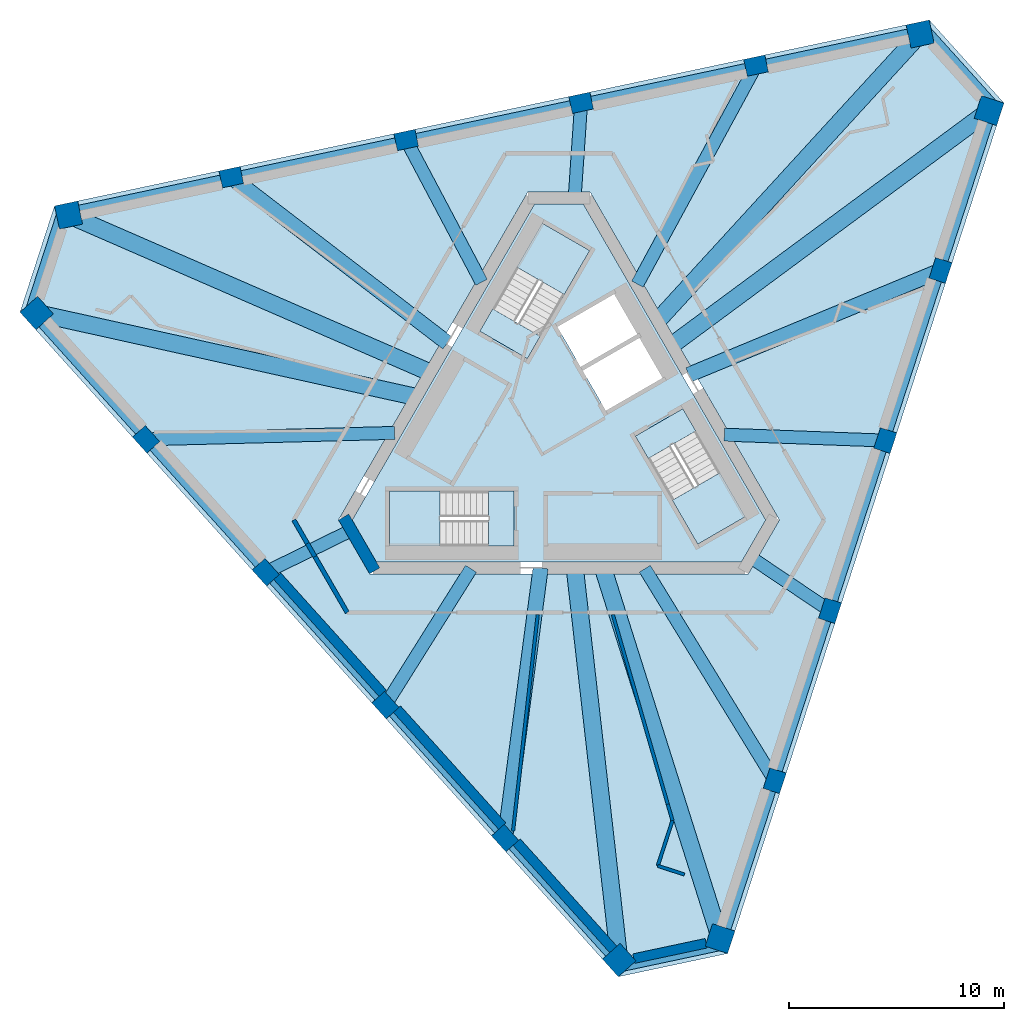
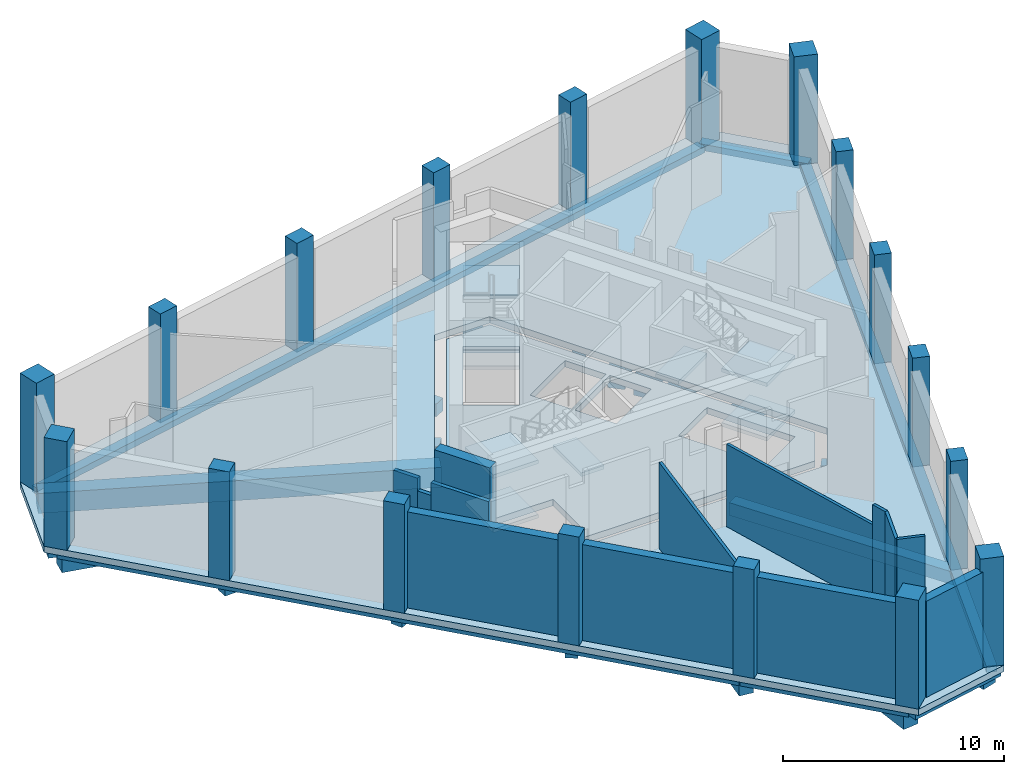
# One storey, part 1 of 5: 24 beams, 18 columns, 13 walls, 11 slabs, 3 elements without a shape of their own.
"""IFC4 building model written with IfcOpenShell, lengths in metres."""

from ifc_helpers import new_model, si_unit, direction, frame, frame_2d, origin, origin_2d, place, context, subcontext, project, spatial, polyline, rectangle, outline, extrude, material, layer, layer_set, material_profile, profile_set, type_object, element, aggregate, save


model = new_model("IFC4")

# Units and contexts
model_context = context("Model", 3, precision=1e-05, world=origin(), true_north=direction((0.0, 1.0)))
body_context = subcontext(model_context, "Body", "Model", "MODEL_VIEW")
ifc_project = project(units=[si_unit("LENGTHUNIT", "METRE"), si_unit("AREAUNIT", "SQUARE_METRE"), si_unit("VOLUMEUNIT", "CUBIC_METRE"), si_unit("PLANEANGLEUNIT", "RADIAN"), si_unit("MASSUNIT", "GRAM", prefix="KILO")], contexts=[model_context])

# Site, building, storey
site_placement = place(None, origin())
site = spatial("IfcSite", under=ifc_project, at=site_placement, CompositionType="ELEMENT")
building_placement = place(site_placement, origin())
building = spatial("IfcBuilding", under=site, at=building_placement, Name="Tramontana Tower", CompositionType="ELEMENT")
storey_placement = place(building_placement, frame((0.0, 0.0, 374.89990234375)))
storey = spatial("IfcBuildingStorey", under=building, at=storey_placement, Name="L86", CompositionType="ELEMENT", Elevation=374.89990234375)

# Columns
ifc_material_1 = material(Name="Concrete 55 MPa", Category="concrete")
ifc_material_profile_1 = material_profile(ifc_material_1, rectangle(XDim=1.10009765625, YDim=1.10009765625, at=origin_2d()), Name="Mega column 1100X1100 55 MPa")
ifc_profile_set_1 = profile_set([ifc_material_profile_1], Name="Concrete 55 MPa")
column_type_1 = type_object("IfcColumnType", Name="Mega column 1100X1100 55 MPa", PredefinedType="COLUMN", material=ifc_profile_set_1)
for number, where, z_axis, x_axis, name in (
    (1, (-24.278076171875, 5.368408203125, 0.0), (0.0, 0.0, 1.0), (0.669130606359, -0.743144825477, 0.0), "Mega column C8K1 L86"),
    (2, (2.80126953125, -24.706298828125, 0.0), (0.0, 0.0, 1.0), (0.669130606359, -0.743144825477, 0.0), "Mega column C8K2 L86"),
    (3, (7.489990234375, -23.70947265625, 0.0), (0.0, 0.0, 1.0), (0.309016994375, 0.951056516295, 0.0), "Mega column C8K3 L86"),
    (4, (19.99560546875, 14.779052734375, 0.0), (0.0, 0.0, 1.0), (0.309016994375, 0.951056516295, 0.0), "Mega column C8K4 L86"),
    (5, (16.7880859375, 18.34130859375, 0.0), (0.0, 0.0, 1.0), (-0.978147600734, -0.207911690818, 0.0), "Mega column C8K5 L86"),
    (6, (-22.796875, 9.92724609375, 0.0), (0.0, 0.0, 1.0), (-0.978147600734, -0.207911690818, 0.0), "Mega column C8K6 L86"),
):
    element("IfcColumn", number, at=place(storey_placement, frame(where, z_axis=z_axis, x_axis=x_axis)), inside=storey, type_object=column_type_1, Name=name, PredefinedType="COLUMN", context=body_context, shape_type="SweptSolid", body=[
        extrude(rectangle(XDim=1.10009765625, YDim=1.10009765625, at=origin_2d()), origin(), (0.0, 0.0, 1.0), 6.0),
    ])
ifc_material_2 = material(Name="Concrete 55 MPa", Category="concrete")
ifc_material_profile_2 = material_profile(ifc_material_2, rectangle(XDim=1.0, YDim=0.800048828125, at=origin_2d()), Name="Pier column 1000X800 55 MPa")
ifc_profile_set_2 = profile_set([ifc_material_profile_2], Name="Concrete 55 MPa")
column_type_2 = type_object("IfcColumnType", Name="Pier column 1000X800 55 MPa", PredefinedType="COLUMN", material=ifc_profile_set_2)
for number, where, z_axis, x_axis, name in (
    (7, (-19.194580078125, -0.501708984375, 0.0), (0.0, 0.0, 1.0), (0.669130606359, -0.743144825477, 0.0), "Pier column C8F01 L86"),
    (8, (-13.63134765625, -6.68017578125, 0.0), (0.0, 0.0, 1.0), (0.669130606359, -0.743144825477, 0.0), "Pier column C8F02 L86"),
    (9, (-8.068359375, -12.8583984375, 0.0), (0.0, 0.0, 1.0), (0.669130606359, -0.743144825477, 0.0), "Pier column C8F03 L86"),
    (10, (-2.50537109375, -19.036865234375, 0.0), (0.0, 0.0, 1.0), (0.669130606359, -0.743144825477, 0.0), "Pier column C8F04 L86"),
    (11, (10.03173828125, -16.3720703125, 0.0), (0.0, 0.0, 1.0), (0.309016994375, 0.951056516295, 0.0), "Pier column C8F05 L86"),
    (12, (12.600830078125, -8.465087890625, 0.0), (0.0, 0.0, 1.0), (0.309016994375, 0.951056516295, 0.0), "Pier column C8F06 L86"),
    (13, (15.169921875, -0.55810546875, 0.0), (0.0, 0.0, 1.0), (0.309016994375, 0.951056516295, 0.0), "Pier column C8F07 L86"),
    (14, (17.739013671875, 7.348876953125, 0.0), (0.0, 0.0, 1.0), (0.309016994375, 0.951056516295, 0.0), "Pier column C8F08 L86"),
    (15, (9.162841796875, 16.873779296875, 0.0), (0.0, 0.0, 1.0), (-0.978147600734, -0.207911690818, 0.0), "Pier column C8F09 L86"),
    (16, (1.030517578125, 15.145263671875, 0.0), (0.0, 0.0, 1.0), (-0.978147600734, -0.207911690818, 0.0), "Pier column C8F10 L86"),
    (17, (-7.1015625, 13.416748046875, 0.0), (0.0, 0.0, 1.0), (-0.978147600734, -0.207911690818, 0.0), "Pier column C8F11 L86"),
    (18, (-15.233642578125, 11.688232421875, 0.0), (0.0, 0.0, 1.0), (-0.978147600734, -0.207911690818, 0.0), "Pier column C8F12 L86"),
):
    element("IfcColumn", number, at=place(storey_placement, frame(where, z_axis=z_axis, x_axis=x_axis)), inside=storey, type_object=column_type_2, Name=name, PredefinedType="COLUMN", context=body_context, shape_type="SweptSolid", body=[
        extrude(rectangle(XDim=1.0, YDim=0.800048828125, at=origin_2d()), origin(), (0.0, 0.0, 1.0), 6.0),
    ])

# Beams
ifc_material_3 = material(Name="Concrete 40 MPa", Category="concrete")
ifc_material_profile_3 = material_profile(ifc_material_3, rectangle(XDim=0.5, YDim=0.35009765625, at=origin_2d()), Name="RC EDGE BEAM 500X350 40 MPa")
ifc_profile_set_3 = profile_set([ifc_material_profile_3], Name="Concrete 40 MPa")
beam_type_1 = type_object("IfcBeamType", Name="RC EDGE BEAM 500X350 40 MPa", PredefinedType="SPANDREL", material=ifc_profile_set_3)
for number, where, z_axis, x_axis, name in (
    (19, (-24.352294921875, 5.301513671875, -0.52490234375), (0.669126699639, -0.743148343086, 0.0), (0.743148343086, 0.669126699639, 0.0), "Spandrel beam S0 L86"),
    (20, (7.5849609375, -23.740478515625, -0.52490234375), (0.309021003975, 0.951055213488, 0.0), (-0.951055213488, 0.309021003975, 0.0), "Spandrel beam S1 L86"),
):
    element("IfcBeam", number, at=place(storey_placement, frame(where, z_axis=z_axis, x_axis=x_axis)), inside=storey, type_object=beam_type_1, Name=name, PredefinedType="SPANDREL", context=body_context, shape_type="SweptSolid", body=[
        extrude(rectangle(XDim=0.5, YDim=0.35009765625, at=origin_2d()), origin(), (0.0, 0.0, 1.0), 40.46923828125),
    ])
beam_1_placement = place(storey_placement, frame((16.767333984375, 18.439208984375, -0.52490234375), z_axis=(-0.978146276815, -0.20791791927, 0.0), x_axis=(0.20791791927, -0.978146276815, 0.0)))
element("IfcBeam", 21, at=beam_1_placement, inside=storey, type_object=beam_type_1, Name="Spandrel beam S2 L86", PredefinedType="SPANDREL", context=body_context, shape_type="SweptSolid", body=[
    extrude(rectangle(XDim=0.5, YDim=0.35009765625, at=origin_2d()), origin(), (0.0, 0.0, 1.0), 40.469482421875),
])
beam_2_placement = place(storey_placement, frame((-23.02099609375, 10.2119140625, -0.52490234375), z_axis=(-0.309015953557, -0.951056854477, 0.0), x_axis=(0.951056854477, -0.309015953557, 0.0)))
element("IfcBeam", 22, at=beam_2_placement, inside=storey, type_object=beam_type_1, Name="Spandrel beam K0 L86", PredefinedType="SPANDREL", context=body_context, shape_type="SweptSolid", body=[
    extrude(rectangle(XDim=0.5, YDim=0.35009765625, at=origin_2d()), origin(), (0.0, 0.0, 1.0), 5.1962890625),
])
for number, where, z_axis, x_axis, name in (
    (23, (2.6669921875, -25.042724609375, -0.52490234375), (0.97814762463, 0.207911578393, 0.0), (-0.207911578393, 0.97814762463, 0.0), "Spandrel beam K1 L86"),
    (24, (20.354248046875, 14.8310546875, -0.52490234375), (-0.66916199362, 0.74311656306, 0.0), (-0.74311656306, -0.66916199362, 0.0), "Spandrel beam K2 L86"),
):
    element("IfcBeam", number, at=place(storey_placement, frame(where, z_axis=z_axis, x_axis=x_axis)), inside=storey, type_object=beam_type_1, Name=name, PredefinedType="SPANDREL", context=body_context, shape_type="SweptSolid", body=[
        extrude(rectangle(XDim=0.5, YDim=0.35009765625, at=origin_2d()), origin(), (0.0, 0.0, 1.0), 5.196044921875),
    ])
ifc_material_4 = material(Name="Concrete 40 MPa", Category="concrete")
ifc_material_profile_4 = material_profile(ifc_material_4, rectangle(XDim=0.60009765625, YDim=0.699951171875, at=origin_2d()), Name="RC GIRDER 600X700 40 MPa")
ifc_profile_set_4 = profile_set([ifc_material_profile_4], Name="Concrete 40 MPa")
beam_type_2 = type_object("IfcBeamType", Name="RC GIRDER 600X700 40 MPa", PredefinedType="BEAM", material=ifc_profile_set_4)
beam_3_placement = place(storey_placement, frame((-19.194580078125, -0.501708984375, -0.699951171875), z_axis=(0.999658682192, 0.026125066864, 0.0), x_axis=(-0.026125066864, 0.999658682192, 0.0)))
element("IfcBeam", 25, at=beam_3_placement, inside=storey, type_object=beam_type_2, Name="Radial girder C8F01 L86", PredefinedType="BEAM", context=body_context, shape_type="SweptSolid", body=[
    extrude(rectangle(XDim=0.60009765625, YDim=0.699951171875, at=origin_2d()), origin(), (0.0, 0.0, 1.0), 11.559814453125),
])
beam_4_placement = place(storey_placement, frame((-13.63134765625, -6.68017578125, -0.699951171875), z_axis=(0.897959158445, 0.440078799496, 0.0), x_axis=(-0.440078799496, 0.897959158445, 0.0)))
element("IfcBeam", 26, at=beam_4_placement, inside=storey, type_object=beam_type_2, Name="Radial girder C8F02 L86", PredefinedType="BEAM", context=body_context, shape_type="SweptSolid", body=[
    extrude(rectangle(XDim=0.60009765625, YDim=0.699951171875, at=origin_2d()), origin(), (0.0, 0.0, 1.0), 4.4296875),
])
beam_5_placement = place(storey_placement, frame((-8.068359375, -12.8583984375, -0.699951171875), z_axis=(0.531504835363, 0.847055257929, 0.0), x_axis=(-0.847055257929, 0.531504835363, 0.0)))
element("IfcBeam", 27, at=beam_5_placement, inside=storey, type_object=beam_type_2, Name="Radial girder C8F03 L86", PredefinedType="BEAM", context=body_context, shape_type="SweptSolid", body=[
    extrude(rectangle(XDim=0.60009765625, YDim=0.699951171875, at=origin_2d()), origin(), (0.0, 0.0, 1.0), 7.486328125),
])
beam_6_placement = place(storey_placement, frame((10.03173828125, -16.3720703125, -0.699951171875), z_axis=(-0.522458548495, 0.852664685034, 0.0), x_axis=(-0.852664685034, -0.522458548495, 0.0)))
element("IfcBeam", 28, at=beam_6_placement, inside=storey, type_object=beam_type_2, Name="Radial girder C8F05 L86", PredefinedType="BEAM", context=body_context, shape_type="SweptSolid", body=[
    extrude(rectangle(XDim=0.60009765625, YDim=0.699951171875, at=origin_2d()), origin(), (0.0, 0.0, 1.0), 11.559814453125),
])
beam_7_placement = place(storey_placement, frame((12.600830078125, -8.465087890625, -0.699951171875), z_axis=(-0.830077902204, 0.557647448011, 0.0), x_axis=(-0.557647448011, -0.830077902204, 0.0)))
element("IfcBeam", 29, at=beam_7_placement, inside=storey, type_object=beam_type_2, Name="Radial girder C8F06 L86", PredefinedType="BEAM", context=body_context, shape_type="SweptSolid", body=[
    extrude(rectangle(XDim=0.60009765625, YDim=0.699951171875, at=origin_2d()), origin(), (0.0, 0.0, 1.0), 4.4296875),
])
beam_8_placement = place(storey_placement, frame((15.169921875, -0.55810546875, -0.699951171875), z_axis=(-0.999324360611, 0.036753534393, 0.0), x_axis=(-0.036753534393, -0.999324360611, 0.0)))
element("IfcBeam", 30, at=beam_8_placement, inside=storey, type_object=beam_type_2, Name="Radial girder C8F07 L86", PredefinedType="BEAM", context=body_context, shape_type="SweptSolid", body=[
    extrude(rectangle(XDim=0.60009765625, YDim=0.699951171875, at=origin_2d()), origin(), (0.0, 0.0, 1.0), 7.486328125),
])
beam_9_placement = place(storey_placement, frame((9.16259765625, 16.873779296875, -0.699951171875), z_axis=(-0.477185075818, -0.87880282397, 0.0), x_axis=(0.87880282397, -0.477185075818, 0.0)))
element("IfcBeam", 31, at=beam_9_placement, inside=storey, type_object=beam_type_2, Name="Radial girder C8F09 L86", PredefinedType="BEAM", context=body_context, shape_type="SweptSolid", body=[
    extrude(rectangle(XDim=0.60009765625, YDim=0.699951171875, at=origin_2d()), origin(), (0.0, 0.0, 1.0), 11.559814453125),
])
beam_10_placement = place(storey_placement, frame((1.030517578125, 15.145263671875, -0.699951171875), z_axis=(-0.067897965918, -0.997692270304, 0.0), x_axis=(0.997692270304, -0.067897965918, 0.0)))
element("IfcBeam", 32, at=beam_10_placement, inside=storey, type_object=beam_type_2, Name="Radial girder C8F10 L86", PredefinedType="BEAM", context=body_context, shape_type="SweptSolid", body=[
    extrude(rectangle(XDim=0.60009765625, YDim=0.699951171875, at=origin_2d()), origin(), (0.0, 0.0, 1.0), 4.429931640625),
])
beam_11_placement = place(storey_placement, frame((-7.1015625, 13.416748046875, -0.699951171875), z_axis=(0.467808305742, -0.883829954843, 0.0), x_axis=(0.883829954843, 0.467808305742, 0.0)))
element("IfcBeam", 33, at=beam_11_placement, inside=storey, type_object=beam_type_2, Name="Radial girder C8F11 L86", PredefinedType="BEAM", context=body_context, shape_type="SweptSolid", body=[
    extrude(rectangle(XDim=0.60009765625, YDim=0.699951171875, at=origin_2d()), origin(), (0.0, 0.0, 1.0), 7.486328125),
])
ifc_material_5 = material(Name="Concrete 40 MPa", Category="concrete")
ifc_material_profile_5 = material_profile(ifc_material_5, rectangle(XDim=0.699951171875, YDim=0.89990234375, at=origin_2d()), Name="RC GIRDER 700X900 40 MPa")
ifc_profile_set_5 = profile_set([ifc_material_profile_5], Name="Concrete 40 MPa")
beam_type_3 = type_object("IfcBeamType", Name="RC GIRDER 700X900 40 MPa", PredefinedType="BEAM", material=ifc_profile_set_5)
beam_12_placement = place(storey_placement, frame((-2.50537109375, -19.036865234375, -0.7998046875), z_axis=(0.130493398369, 0.991449178214, 0.0), x_axis=(-0.991449178214, 0.130493398369, 0.0)))
element("IfcBeam", 34, at=beam_12_placement, inside=storey, type_object=beam_type_3, Name="Radial girder C8F04 L86", PredefinedType="BEAM", context=body_context, shape_type="SweptSolid", body=[
    extrude(rectangle(XDim=0.699951171875, YDim=0.89990234375, at=origin_2d()), origin(), (0.0, 0.0, 1.0), 12.66796875),
])
beam_13_placement = place(storey_placement, frame((17.739013671875, 7.348876953125, -0.7998046875), z_axis=(-0.923857326556, -0.382737037885, 0.0), x_axis=(0.382737037885, -0.923857326556, 0.0)))
element("IfcBeam", 35, at=beam_13_placement, inside=storey, type_object=beam_type_3, Name="Radial girder C8F08 L86", PredefinedType="BEAM", context=body_context, shape_type="SweptSolid", body=[
    extrude(rectangle(XDim=0.699951171875, YDim=0.89990234375, at=origin_2d()), origin(), (0.0, 0.0, 1.0), 12.667724609375),
])
beam_14_placement = place(storey_placement, frame((-15.23388671875, 11.68798828125, -0.7998046875), z_axis=(0.793386383047, -0.608718364431, 0.0), x_axis=(0.608718364431, 0.793386383047, 0.0)))
element("IfcBeam", 36, at=beam_14_placement, inside=storey, type_object=beam_type_3, Name="Radial girder C8F12 L86", PredefinedType="BEAM", context=body_context, shape_type="SweptSolid", body=[
    extrude(rectangle(XDim=0.699951171875, YDim=0.89990234375, at=origin_2d()), origin(), (0.0, 0.0, 1.0), 12.66796875),
])
ifc_material_6 = material(Name="Concrete 40 MPa", Category="concrete")
ifc_material_profile_6 = material_profile(ifc_material_6, rectangle(XDim=0.800048828125, YDim=1.10009765625, at=origin_2d()), Name="RC GIRDER 800X1100 40 MPa")
ifc_profile_set_6 = profile_set([ifc_material_profile_6], Name="Concrete 40 MPa")
beam_type_4 = type_object("IfcBeamType", Name="RC GIRDER 800X1100 40 MPa", PredefinedType="BEAM", material=ifc_profile_set_6)
beam_15_placement = place(storey_placement, frame((-24.278076171875, 5.368408203125, -0.89990234375), z_axis=(0.976414256624, -0.215905533653, 0.0), x_axis=(0.215905533653, 0.976414256624, 0.0)))
element("IfcBeam", 37, at=beam_15_placement, inside=storey, type_object=beam_type_4, Name="Radial girder C8K1 L86", PredefinedType="BEAM", context=body_context, shape_type="SweptSolid", body=[
    extrude(rectangle(XDim=0.800048828125, YDim=1.10009765625, at=origin_2d()), origin(), (0.0, 0.0, 1.0), 18.060791015625),
])
beam_16_placement = place(storey_placement, frame((2.80126953125, -24.706298828125, -0.89990234375), z_axis=(-0.112660068087, 0.993633588934, 0.0), x_axis=(-0.993633588934, -0.112660068087, 0.0)))
element("IfcBeam", 38, at=beam_16_placement, inside=storey, type_object=beam_type_4, Name="Radial girder C8K2 L86", PredefinedType="BEAM", context=body_context, shape_type="SweptSolid", body=[
    extrude(rectangle(XDim=0.800048828125, YDim=1.10009765625, at=origin_2d()), origin(), (0.0, 0.0, 1.0), 18.34619140625),
])
beam_17_placement = place(storey_placement, frame((7.489990234375, -23.709716796875, -0.89990234375), z_axis=(-0.301228407795, 0.953552015538, 0.0), x_axis=(-0.953552015538, -0.301228407795, 0.0)))
element("IfcBeam", 39, at=beam_17_placement, inside=storey, type_object=beam_type_4, Name="Radial girder C8K3 L86", PredefinedType="BEAM", context=body_context, shape_type="SweptSolid", body=[
    extrude(rectangle(XDim=0.800048828125, YDim=1.10009765625, at=origin_2d()), origin(), (0.0, 0.0, 1.0), 18.060791015625),
])
beam_18_placement = place(storey_placement, frame((19.99560546875, 14.779052734375, -0.89990234375), z_axis=(-0.804178630494, -0.594387693562, 0.0), x_axis=(0.594387693562, -0.804178630494, 0.0)))
element("IfcBeam", 40, at=beam_18_placement, inside=storey, type_object=beam_type_4, Name="Radial girder C8K4 L86", PredefinedType="BEAM", context=body_context, shape_type="SweptSolid", body=[
    extrude(rectangle(XDim=0.800048828125, YDim=1.10009765625, at=origin_2d()), origin(), (0.0, 0.0, 1.0), 18.34619140625),
])
beam_19_placement = place(storey_placement, frame((16.7880859375, 18.34130859375, -0.89990234375), z_axis=(-0.675183941423, -0.737649405371, 0.0), x_axis=(0.737649405371, -0.675183941423, 0.0)))
element("IfcBeam", 41, at=beam_19_placement, inside=storey, type_object=beam_type_4, Name="Radial girder C8K5 L86", PredefinedType="BEAM", context=body_context, shape_type="SweptSolid", body=[
    extrude(rectangle(XDim=0.800048828125, YDim=1.10009765625, at=origin_2d()), origin(), (0.0, 0.0, 1.0), 18.060791015625),
])
beam_20_placement = place(storey_placement, frame((-22.796875, 9.92724609375, -0.89990234375), z_axis=(0.916837391717, -0.399260813441, 0.0), x_axis=(0.399260813441, 0.916837391717, 0.0)))
element("IfcBeam", 42, at=beam_20_placement, inside=storey, type_object=beam_type_4, Name="Radial girder C8K6 L86", PredefinedType="BEAM", context=body_context, shape_type="SweptSolid", body=[
    extrude(rectangle(XDim=0.800048828125, YDim=1.10009765625, at=origin_2d()), origin(), (0.0, 0.0, 1.0), 18.34619140625),
])

# Slabs
ifc_material_7 = material(Name="Concrete 40 MPa", Category="concrete")
ifc_layer_1 = layer(ifc_material_7, 0.35009765625)
ifc_layer_set_1 = layer_set([ifc_layer_1], Name="PT FLAT SLAB 350 40 MPa")
slab_type_1 = type_object("IfcSlabType", Name="PT FLAT SLAB 350 40 MPa", PredefinedType="FLOOR", material=ifc_layer_set_1)
slab_1_placement = place(storey_placement, frame((0.0, 0.0, -0.349853515625)))
element("IfcSlab", 43, at=slab_1_placement, inside=storey, type_object=slab_type_1, Name="Floor slab L86", PredefinedType="FLOOR", context=body_context, shape_type="SweptSolid", body=[
    extrude(outline(polyline([(20.688720703125, 15.132080078125), (7.843017578125, -24.402587890625), (2.760498046875, -25.48291015625), (-25.0546875, 5.408935546875), (-23.44921875, 10.350830078125), (17.211669921875, 18.99365234375), (20.688720703125, 15.132080078125)]), holes=[polyline([(-10.248046875, -4.25), (-8.8046875, -6.75), (8.8046875, -6.75), (10.248046875, -4.25), (1.443359375, 11.0), (-1.443359375, 11.0), (-10.248046875, -4.25)])]), origin(), (0.0, 0.0, 1.0), 0.349853515625),
])
slab_2_placement = place(storey_placement, frame((0.0, 0.0, -0.349853515625)))
element("IfcSlab", 44, at=slab_2_placement, inside=storey, type_object=slab_type_1, Name="Core floor slab L86", PredefinedType="FLOOR", context=body_context, shape_type="SweptSolid", body=[
    extrude(outline(polyline([(9.61279296875, -4.25), (8.487060546875, -6.199951171875), (-8.487060546875, -6.199951171875), (-9.61279296875, -4.25), (-1.125732421875, 10.449951171875), (1.125732421875, 10.449951171875), (9.61279296875, -4.25)]), holes=[polyline([(6.35986328125, -0.115478515625), (4.151611328125, -1.390625), (6.451416015625, -5.374267578125), (8.659912109375, -4.099365234375), (6.35986328125, -0.115478515625)]), polyline([(1.101806640625, 2.69140625), (2.177001953125, 0.82958984375), (4.90478515625, 2.404541015625), (3.829833984375, 4.2666015625), (1.101806640625, 2.69140625)]), polyline([(2.65478515625, 6.3017578125), (-0.072998046875, 4.726806640625), (1.001953125, 2.86474609375), (3.729736328125, 4.439697265625), (2.65478515625, 6.3017578125)]), polyline([(-0.77978515625, 9.54931640625), (-3.079833984375, 5.565673828125), (-0.87158203125, 4.29052734375), (1.428466796875, 8.2744140625), (-0.77978515625, 9.54931640625)]), polyline([(-3.280029296875, -5.449951171875), (-3.280029296875, -2.89990234375), (-7.8798828125, -2.89990234375), (-7.8798828125, -5.449951171875), (-3.280029296875, -5.449951171875)])]), origin(), (0.0, 0.0, 1.0), 0.349853515625),
])

# Stair, slabs
ifc_material_8 = material(Name="Concrete 40 MPa", Category="concrete")
stair_type = type_object("IfcStairType", Name="EXIT STAIR 36 RISERS", PredefinedType="HALF_TURN_STAIR", material=ifc_material_8)
stair_1_placement = place(storey_placement, origin())
stair_1 = element("IfcStair", 45, at=stair_1_placement, inside=storey, type_object=stair_type, Name="L86 Exit stair ST1", PredefinedType="HALF_TURN_STAIR")
ifc_material_9 = material(Name="Concrete 40 MPa", Category="concrete")
ifc_layer_2 = layer(ifc_material_9, 0.199951171875)
ifc_layer_set_2 = layer_set([ifc_layer_2], Name="STAIR LANDING 200")
slab_type_2 = type_object("IfcSlabType", Name="STAIR LANDING 200", PredefinedType="LANDING", material=ifc_layer_set_2)
slab_3_placement = place(storey_placement, frame((0.0, 0.0, 1.300048828125)))
slab_3 = element("IfcSlab", 46, at=slab_3_placement, type_object=slab_type_2, Name="ST1 landing 1", PredefinedType="LANDING", context=body_context, shape_type="SweptSolid", body=[
    extrude(outline(polyline([(0.24853515625, 6.23046875), (1.428466796875, 8.274169921875), (-0.77978515625, 9.54931640625), (-1.959716796875, 7.50537109375), (0.24853515625, 6.23046875)])), origin(), (0.0, 0.0, 1.0), 0.199951171875),
])
slab_4_placement = place(storey_placement, frame((0.0, 0.0, 2.800048828125)))
slab_4 = element("IfcSlab", 47, at=slab_4_placement, type_object=slab_type_2, Name="ST1 landing 2", PredefinedType="LANDING", context=body_context, shape_type="SweptSolid", body=[
    extrude(outline(polyline([(-1.471435546875, 3.251220703125), (-0.87158203125, 4.29052734375), (-3.079833984375, 5.565673828125), (-3.679931640625, 4.5263671875), (-1.471435546875, 3.251220703125)])), origin(), (0.0, 0.0, 1.0), 0.199951171875),
])
slab_5_placement = place(storey_placement, frame((0.0, 0.0, 4.300048828125)))
slab_5 = element("IfcSlab", 48, at=slab_5_placement, type_object=slab_type_2, Name="ST1 landing 3", PredefinedType="LANDING", context=body_context, shape_type="SweptSolid", body=[
    extrude(outline(polyline([(0.24853515625, 6.23046875), (1.428466796875, 8.274169921875), (-0.77978515625, 9.54931640625), (-1.959716796875, 7.50537109375), (0.24853515625, 6.23046875)])), origin(), (0.0, 0.0, 1.0), 0.199951171875),
])
aggregate(stair_1, [slab_3, slab_4, slab_5])

stair_2_placement = place(storey_placement, origin())
stair_2 = element("IfcStair", 49, at=stair_2_placement, inside=storey, type_object=stair_type, Name="L86 Exit stair ST2", PredefinedType="HALF_TURN_STAIR")
slab_6_placement = place(storey_placement, frame((0.0, 0.0, 1.300048828125)))
slab_6 = element("IfcSlab", 50, at=slab_6_placement, type_object=slab_type_2, Name="ST2 landing 1", PredefinedType="LANDING", context=body_context, shape_type="SweptSolid", body=[
    extrude(outline(polyline([(-5.52001953125, -2.89990234375), (-7.8798828125, -2.89990234375), (-7.8798828125, -5.449951171875), (-5.52001953125, -5.449951171875), (-5.52001953125, -2.89990234375)])), origin(), (0.0, 0.0, 1.0), 0.199951171875),
])
slab_7_placement = place(storey_placement, frame((0.0, 0.0, 2.800048828125)))
slab_7 = element("IfcSlab", 51, at=slab_7_placement, type_object=slab_type_2, Name="ST2 landing 2", PredefinedType="LANDING", context=body_context, shape_type="SweptSolid", body=[
    extrude(outline(polyline([(-2.080078125, -2.89990234375), (-3.280029296875, -2.89990234375), (-3.280029296875, -5.449951171875), (-2.080078125, -5.449951171875), (-2.080078125, -2.89990234375)])), origin(), (0.0, 0.0, 1.0), 0.199951171875),
])
slab_8_placement = place(storey_placement, frame((0.0, 0.0, 4.300048828125)))
slab_8 = element("IfcSlab", 52, at=slab_8_placement, type_object=slab_type_2, Name="ST2 landing 3", PredefinedType="LANDING", context=body_context, shape_type="SweptSolid", body=[
    extrude(outline(polyline([(-5.52001953125, -2.89990234375), (-7.8798828125, -2.89990234375), (-7.8798828125, -5.449951171875), (-5.52001953125, -5.449951171875), (-5.52001953125, -2.89990234375)])), origin(), (0.0, 0.0, 1.0), 0.199951171875),
])
aggregate(stair_2, [slab_6, slab_7, slab_8])

stair_3_placement = place(storey_placement, origin())
stair_3 = element("IfcStair", 53, at=stair_3_placement, inside=storey, type_object=stair_type, Name="L86 Exit stair ST3", PredefinedType="HALF_TURN_STAIR")
slab_9_placement = place(storey_placement, frame((0.0, 0.0, 1.300048828125)))
slab_9 = element("IfcSlab", 54, at=slab_9_placement, type_object=slab_type_2, Name="ST3 landing 1", PredefinedType="LANDING", context=body_context, shape_type="SweptSolid", body=[
    extrude(outline(polyline([(5.271484375, -3.33056640625), (6.451416015625, -5.374267578125), (8.659912109375, -4.099365234375), (7.479736328125, -2.055419921875), (5.271484375, -3.33056640625)])), origin(), (0.0, 0.0, 1.0), 0.199951171875),
])
slab_10_placement = place(storey_placement, frame((0.0, 0.0, 2.800048828125)))
slab_10 = element("IfcSlab", 55, at=slab_10_placement, type_object=slab_type_2, Name="ST3 landing 2", PredefinedType="LANDING", context=body_context, shape_type="SweptSolid", body=[
    extrude(outline(polyline([(3.551513671875, -0.351318359375), (4.1513671875, -1.390625), (6.35986328125, -0.115478515625), (5.759765625, 0.923583984375), (3.551513671875, -0.351318359375)])), origin(), (0.0, 0.0, 1.0), 0.199951171875),
])
slab_11_placement = place(storey_placement, frame((0.0, 0.0, 4.300048828125)))
slab_11 = element("IfcSlab", 56, at=slab_11_placement, type_object=slab_type_2, Name="ST3 landing 3", PredefinedType="LANDING", context=body_context, shape_type="SweptSolid", body=[
    extrude(outline(polyline([(5.271484375, -3.33056640625), (6.451416015625, -5.374267578125), (8.659912109375, -4.099365234375), (7.479736328125, -2.055419921875), (5.271484375, -3.33056640625)])), origin(), (0.0, 0.0, 1.0), 0.199951171875),
])
aggregate(stair_3, [slab_9, slab_10, slab_11])

# Walls
ifc_material_10 = material(Name="Concrete 70 MPa", Category="concrete")
ifc_layer_3 = layer(ifc_material_10, 0.550048828125)
ifc_layer_set_3 = layer_set([ifc_layer_3], Name="Core wall 550 70 MPa")
wall_type_1 = type_object("IfcWallType", Name="Core wall 550 70 MPa", PredefinedType="SHEAR", material=ifc_layer_set_3)
wall_1_placement = place(storey_placement, frame((-10.009765625, -4.112548828125, 0.0), z_axis=(0.0, 0.0, 1.0), x_axis=(0.499995765644, -0.866027848477, 0.0)))
element("IfcWall", 57, at=wall_1_placement, inside=storey, type_object=wall_type_1, Name="Core wall C2 L86", PredefinedType="SHEAR", context=body_context, shape_type="SweptSolid", body=[
    extrude(rectangle(XDim=2.88671875, YDim=0.550048828125, at=frame_2d((1.443359375, 0.0))), origin(), (0.0, 0.0, 1.0), 6.0),
])
ifc_material_11 = material(Name="Blockwork", Category="masonry")
ifc_layer_4 = layer(ifc_material_11, 0.199951171875)
ifc_layer_set_4 = layer_set([ifc_layer_4], Name="ENTRY WALL 200")
wall_type_2 = type_object("IfcWallType", Name="ENTRY WALL 200", PredefinedType="SOLIDWALL", material=ifc_layer_set_4)
wall_2_placement = place(storey_placement, frame((-9.84375, -8.550048828125, 0.0), z_axis=(0.0, 0.0, 1.0), x_axis=(-0.500003959331, 0.866023117852, 0.0)))
element("IfcWall", 58, at=wall_2_placement, inside=storey, type_object=wall_type_2, Name="Wall ew2-0", PredefinedType="SOLIDWALL", context=body_context, shape_type="SweptSolid", body=[
    extrude(rectangle(XDim=3.0029296875, YDim=0.199951171875, at=frame_2d((1.50146484375, 0.0))), origin(), (0.0, 0.0, 1.0), 5.650146484375),
])
wall_3_placement = place(storey_placement, frame((-11.34521484375, -5.949462890625, 0.0), z_axis=(0.0, 0.0, 1.0), x_axis=(-0.499993523031, 0.866029143232, 0.0)))
element("IfcWall", 59, at=wall_3_placement, inside=storey, type_object=wall_type_2, Name="Wall ew2-1", PredefinedType="SOLIDWALL", context=body_context, shape_type="SweptSolid", body=[
    extrude(rectangle(XDim=0.70166015625, YDim=0.199951171875, at=frame_2d((0.350830078125, 0.0))), origin(), (0.0, 0.0, 1.0), 4.9501953125),
])
wall_4_placement = place(storey_placement, frame((-11.696044921875, -5.341796875, 0.0), z_axis=(0.0, 0.0, 1.0), x_axis=(-0.500013012896, 0.866017890655, 0.0)))
element("IfcWall", 60, at=wall_4_placement, inside=storey, type_object=wall_type_2, Name="Wall ew2-2", PredefinedType="SOLIDWALL", context=body_context, shape_type="SweptSolid", body=[
    extrude(rectangle(XDim=1.2607421875, YDim=0.199951171875, at=frame_2d((0.63037109375, 0.0))), origin(), (0.0, 0.0, 1.0), 5.650146484375),
])
ifc_material_12 = material(Name="Precast concrete 60 MPa", Category="concrete")
ifc_layer_5 = layer(ifc_material_12, 0.449951171875)
ifc_layer_set_5 = layer_set([ifc_layer_5], Name="Precast concrete 60 MPa, 450 mm")
wall_type_3 = type_object("IfcWallType", Name="EW1 Stone-faced precast wall 450", PredefinedType="SOLIDWALL", material=ifc_layer_set_5)
wall_5_placement = place(storey_placement, frame((-13.092529296875, -6.86767578125, 0.0), z_axis=(0.0, 0.0, 1.0), x_axis=(0.669136224502, -0.74313976684, 0.0)))
element("IfcWall", 61, at=wall_5_placement, inside=storey, type_object=wall_type_3, Name="Stone band wall L86 face 0s 3", PredefinedType="SOLIDWALL", context=body_context, shape_type="SweptSolid", body=[
    extrude(rectangle(XDim=7.31396484375, YDim=0.449951171875, at=frame_2d((3.656982421875, 0.0))), origin(), (0.0, 0.0, 1.0), 5.300048828125),
])
wall_6_placement = place(storey_placement, frame((-7.529541015625, -13.046142578125, 0.0), z_axis=(0.0, 0.0, 1.0), x_axis=(0.669152823362, -0.743124820597, 0.0)))
element("IfcWall", 62, at=wall_6_placement, inside=storey, type_object=wall_type_3, Name="Stone band wall L86 face 0s 4", PredefinedType="SOLIDWALL", context=body_context, shape_type="SweptSolid", body=[
    extrude(rectangle(XDim=7.313720703125, YDim=0.449951171875, at=frame_2d((3.65673828125, 0.0))), origin(), (0.0, 0.0, 1.0), 5.300048828125),
])
wall_7_placement = place(storey_placement, frame((-1.96630859375, -19.224365234375, 0.0), z_axis=(0.0, 0.0, 1.0), x_axis=(0.66911941145, -0.743154905266, 0.0)))
element("IfcWall", 63, at=wall_7_placement, inside=storey, type_object=wall_type_3, Name="Stone band wall L86 face 0s 5", PredefinedType="SOLIDWALL", context=body_context, shape_type="SweptSolid", body=[
    extrude(rectangle(XDim=6.7138671875, YDim=0.449951171875, at=frame_2d((3.35693359375, 0.0))), origin(), (0.0, 0.0, 1.0), 5.300048828125),
])
wall_8_placement = place(storey_placement, frame((3.4814453125, -24.6396484375, 0.0), z_axis=(0.0, 0.0, 1.0), x_axis=(0.978139158523, 0.207951404333, 0.0)))
element("IfcWall", 64, at=wall_8_placement, inside=storey, type_object=wall_type_3, Name="Stone band wall L86 face 1k 1", PredefinedType="SOLIDWALL", context=body_context, shape_type="SweptSolid", body=[
    extrude(rectangle(XDim=3.435302734375, YDim=0.449951171875, at=frame_2d((1.7177734375, 0.0))), origin(), (0.0, 0.0, 1.0), 5.300048828125),
])
ifc_material_13 = material(Name="Gypsum board partition")
ifc_layer_6 = layer(ifc_material_13, 0.14990234375)
ifc_layer_set_6 = layer_set([ifc_layer_6], Name="PARTITION 150")
wall_type_4 = type_object("IfcWallType", Name="PARTITION 150", PredefinedType="PARTITIONING", material=ifc_layer_set_6)
wall_9_placement = place(storey_placement, frame((-0.98681640625, -8.650146484375, 0.0), z_axis=(0.0, 0.0, 1.0), x_axis=(-0.113368279169, -0.99355303496, 0.0)))
element("IfcWall", 65, at=wall_9_placement, inside=storey, type_object=wall_type_4, Name="Wall fw-pw09-0", PredefinedType="PARTITIONING", context=body_context, shape_type="SweptSolid", body=[
    extrude(rectangle(XDim=10.1171875, YDim=0.14990234375, at=frame_2d((5.05859375, 0.0))), origin(), (0.0, 0.0, 1.0), 4.75),
])
wall_10_placement = place(storey_placement, frame((2.50537109375, -8.650146484375, 0.0), z_axis=(0.0, 0.0, 1.0), x_axis=(0.278185386407, -0.960527402415, 0.0)))
element("IfcWall", 66, at=wall_10_placement, inside=storey, type_object=wall_type_4, Name="Wall fw-pw10-0", PredefinedType="PARTITIONING", context=body_context, shape_type="SweptSolid", body=[
    extrude(rectangle(XDim=9.1728515625, YDim=0.14990234375, at=frame_2d((4.58642578125, 0.0))), origin(), (0.0, 0.0, 1.0), 4.550048828125),
])
wall_11_placement = place(storey_placement, frame((5.05712890625, -17.4609375, 0.0), z_axis=(0.0, 0.0, 1.0), x_axis=(0.278222842465, -0.960516553699, 0.0)))
element("IfcWall", 67, at=wall_11_placement, inside=storey, type_object=wall_type_4, Name="Wall fw-pw10-1", PredefinedType="PARTITIONING", context=body_context, shape_type="SweptSolid", body=[
    extrude(rectangle(XDim=0.79150390625, YDim=0.14990234375, at=frame_2d((0.395751953125, 0.0))), origin(), (0.0, 0.0, 1.0), 5.650146484375),
])
wall_12_placement = place(storey_placement, frame((4.594970703125, -20.328369140625, 0.0), z_axis=(0.0, 0.0, 1.0), x_axis=(0.951063088132, -0.308996767609, 0.0)))
element("IfcWall", 68, at=wall_12_placement, inside=storey, type_object=wall_type_4, Name="Wall fw-pw11", PredefinedType="PARTITIONING", context=body_context, shape_type="SweptSolid", body=[
    extrude(rectangle(XDim=1.298095703125, YDim=0.14990234375, at=frame_2d((0.64892578125, 0.0))), origin(), (0.0, 0.0, 1.0), 5.650146484375),
])
wall_13_placement = place(storey_placement, frame((5.27734375, -18.221435546875, 0.0), z_axis=(0.0, 0.0, 1.0), x_axis=(-0.309036176758, -0.951050283347, 0.0)))
element("IfcWall", 69, at=wall_13_placement, inside=storey, type_object=wall_type_4, Name="Wall fw-pw12", PredefinedType="PARTITIONING", context=body_context, shape_type="SweptSolid", body=[
    extrude(rectangle(XDim=2.212890625, YDim=0.14990234375, at=frame_2d((1.1064453125, 0.0))), origin(), (0.0, 0.0, 1.0), 5.650146484375),
])

save(model, "model.ifc")
